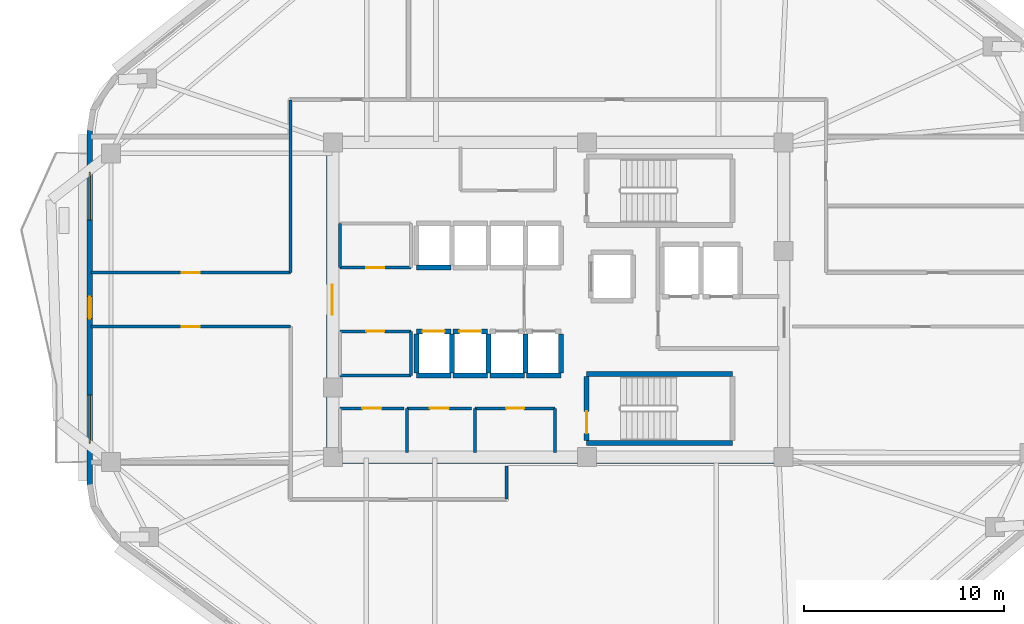
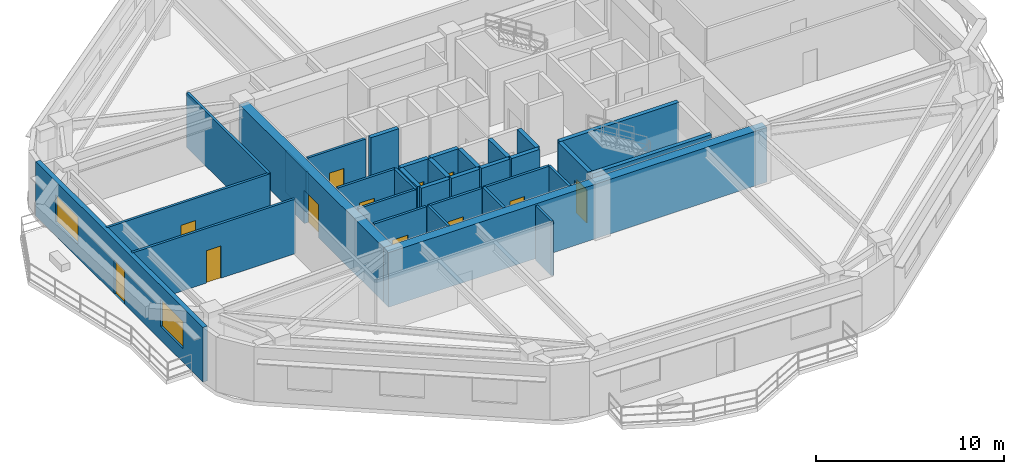
# One storey, part 6 of 12: 33 walls, 12 doors, 2 windows, 14 openings.
"""IFC4 building model written with IfcOpenShell, lengths in metres."""

import ifcopenshell
import ifcopenshell.guid

model = None  # the IFC model being written
_history = None  # IfcOwnerHistory: only IFC2X3 demands one
_inside = {}  # id of a spatial element -> (the spatial element, [elements in it])
_under = {}  # id of a project, library or spatial element -> (it, [spatial elements below it])
_declared = {}  # id of a project -> (the project, [libraries it declares])
_typed = {}  # id of a type object -> (the type object, [elements of that type])
_made_of = {}  # id of a material, layer set ... -> (it, [elements and type objects made of it])


def new_model(schema):
    """Start an empty IFC model of exactly this schema.

    Asked for "IFC4X3", IfcOpenShell would pick the latest addendum, in which some entities
    have other attributes; the version numbers below select the first issue.
    IFC2X3 requires an IfcOwnerHistory on every rooted entity: one is made here for all.
    """
    global model, _history
    if schema == "IFC4X3":
        model = ifcopenshell.file(schema_version=(4, 3, 0, 0))
    else:
        model = ifcopenshell.file(schema=schema)
    _inside.clear()
    _under.clear()
    _declared.clear()
    _typed.clear()
    _made_of.clear()
    _history = None
    if model.schema == "IFC2X3":
        org = make("IfcOrganization", Name="unknown")
        user = make(
            "IfcPersonAndOrganization",
            ThePerson=make("IfcPerson", FamilyName="unknown"),
            TheOrganization=org,
        )
        app = make(
            "IfcApplication",
            ApplicationDeveloper=org,
            Version="unknown",
            ApplicationFullName="unknown",
            ApplicationIdentifier="unknown",
        )
        _history = make(
            "IfcOwnerHistory",
            OwningUser=user,
            OwningApplication=app,
            ChangeAction="ADDED",
            CreationDate=0,
        )
    return model


def make(cls, **values):
    """One entity of the class cls with the attributes given. An attribute that is None is left unset."""
    return model.create_entity(
        cls, **{name: value for name, value in values.items() if value is not None}
    )


def rooted(cls, **values):
    """An entity with a GlobalId (a new one), such as an element, a storey or a relation."""
    return make(cls, GlobalId=ifcopenshell.guid.new(), OwnerHistory=_history, **values)


def si_unit(unit_type, name, prefix=None):
    """IfcSIUnit, for example si_unit("LENGTHUNIT", "METRE", prefix="MILLI")."""
    return make("IfcSIUnit", UnitType=unit_type, Prefix=prefix, Name=name)


def assignment(units):
    """IfcUnitAssignment: the units of a project."""
    return None if units is None else make("IfcUnitAssignment", Units=units)


def point(xyz):
    """IfcCartesianPoint."""
    return None if xyz is None else make("IfcCartesianPoint", Coordinates=xyz)


def direction(xyz):
    """IfcDirection."""
    return None if xyz is None else make("IfcDirection", DirectionRatios=xyz)


def frame(location, z_axis=None, x_axis=None):
    """IfcAxis2Placement3D, a coordinate frame: its origin and axes. An axis left out is left unset."""
    return make(
        "IfcAxis2Placement3D",
        Location=point(location),
        Axis=direction(z_axis),
        RefDirection=direction(x_axis),
    )


def frame_2d(location, x_axis=None):
    """IfcAxis2Placement2D, a coordinate frame in the plane: its origin and x axis."""
    return make(
        "IfcAxis2Placement2D", Location=point(location), RefDirection=direction(x_axis)
    )


def origin():
    """The frame at (0, 0, 0) with its axes left unset."""
    return frame((0.0, 0.0, 0.0))


def place(relative_to, where):
    """IfcLocalPlacement: puts the frame where relative to a parent placement (None: the world)."""
    return make(
        "IfcLocalPlacement", PlacementRelTo=relative_to, RelativePlacement=where
    )


def context(
    kind, dimensions, precision=None, world=None, true_north=None, identifier=None
):
    """IfcGeometricRepresentationContext, for example the 3D "Model" context."""
    return make(
        "IfcGeometricRepresentationContext",
        ContextIdentifier=identifier,
        ContextType=kind,
        CoordinateSpaceDimension=dimensions,
        Precision=precision,
        WorldCoordinateSystem=world,
        TrueNorth=true_north,
    )


def subcontext(parent, identifier, kind, view, scale=None):
    """IfcGeometricRepresentationSubContext, for example "Body" below "Model"."""
    return make(
        "IfcGeometricRepresentationSubContext",
        ContextIdentifier=identifier,
        ContextType=kind,
        ParentContext=parent,
        TargetScale=scale,
        TargetView=view,
    )


def project(units=None, contexts=None):
    """IfcProject with its units and contexts."""
    return rooted(
        "IfcProject",
        Name="project",
        RepresentationContexts=contexts,
        UnitsInContext=assignment(units),
    )


def spatial(cls, under=None, at=None, **own):
    """A site, building, storey or space (cls), placed at a placement, below another one or the project."""
    s = rooted(cls, ObjectPlacement=at, **own)
    if under is not None:
        _under.setdefault(under.id(), (under, []))[1].append(s)
    return s


def profile(cls, at=None, kind="AREA", **sizes):
    """A parametric profile (cls). Its sizes go by their IFC names, for example OverallWidth=200.0."""
    return make(cls, ProfileType=kind, Position=at, **sizes)


def rectangle(**sizes):
    """IfcRectangleProfileDef."""
    return profile("IfcRectangleProfileDef", **sizes)


def extrude(swept, where, along, depth):
    """IfcExtrudedAreaSolid: the profile swept, set in the frame where, extruded along a direction by depth."""
    return make(
        "IfcExtrudedAreaSolid",
        SweptArea=swept,
        Position=where,
        ExtrudedDirection=direction(along),
        Depth=depth,
    )


def shape(context_of_items, identifier, shape_type, items):
    """IfcShapeRepresentation: the items that make up one representation, for example the "Body"."""
    return make(
        "IfcShapeRepresentation",
        ContextOfItems=context_of_items,
        RepresentationIdentifier=identifier,
        RepresentationType=shape_type,
        Items=items,
    )


def material(Name=None, Category=None):
    """IfcMaterial."""
    return make("IfcMaterial", Name=Name, Category=Category)


def layer(
    of_material, thickness, ventilated=None, Name=None, Category=None, Priority=None
):
    """IfcMaterialLayer: one layer of a wall or slab, of a material (None: an air gap)."""
    return make(
        "IfcMaterialLayer",
        Material=of_material,
        LayerThickness=thickness,
        IsVentilated=ventilated,
        Name=Name,
        Category=Category,
        Priority=Priority,
    )


def layer_set(layers, Name=None):
    """IfcMaterialLayerSet."""
    return make("IfcMaterialLayerSet", MaterialLayers=layers, LayerSetName=Name)


def made_of(thing, what):
    """Note that an element or type object is made of a material, layer set ...; save() writes the relation."""
    if what is not None:
        _made_of.setdefault(what.id(), (what, []))[1].append(thing)
    return thing


def type_object(cls, material=None, **own):
    """A type object (cls), such as IfcWallType, which elements share."""
    return made_of(rooted(cls, **own), material)


def element(
    cls,
    number,
    at=None,
    inside=None,
    cuts=None,
    type_object=None,
    material=None,
    context=None,
    identifier="Body",
    shape_type=None,
    held_by="IfcProductDefinitionShape",
    body=None,
    shapes=None,
    **own,
):
    """One element of the class cls, such as IfcWall. Its Tag is "e" and its number.

    at: its placement. inside: the storey or other place that contains it. cuts: it is an
    opening in that element (IfcRelVoidsElement). A single representation is given by context,
    identifier, shape_type and body (its items); several are given by shapes. held_by: the class
    of the entity that holds the representations. save() writes the other relations.
    """
    e = rooted(cls, Tag="e%d" % number, ObjectPlacement=at, **own)
    if body is not None:
        shapes = [shape(context, identifier, shape_type, body)]
    if shapes is not None:
        e.Representation = make(held_by, Representations=shapes)
    if inside is not None:
        _inside.setdefault(inside.id(), (inside, []))[1].append(e)
    if cuts is not None:
        rooted(
            "IfcRelVoidsElement", RelatingBuildingElement=cuts, RelatedOpeningElement=e
        )
    if type_object is not None:
        _typed.setdefault(type_object.id(), (type_object, []))[1].append(e)
    return made_of(e, material)


def fill(opening, filler):
    """IfcRelFillsElement: the door or window that sits in an opening."""
    return rooted(
        "IfcRelFillsElement",
        RelatingOpeningElement=opening,
        RelatedBuildingElement=filler,
    )


def aggregate(whole, parts):
    """IfcRelAggregates: a whole, such as a stair, and the parts it consists of."""
    return rooted("IfcRelAggregates", RelatingObject=whole, RelatedObjects=parts)


def save(model, path):
    """Write the relations noted so far, then the file.

    IfcRelAggregates (storeys below a building ...), IfcRelContainedInSpatialStructure (elements
    in a storey), IfcRelDefinesByType, IfcRelAssociatesMaterial and IfcRelDeclares: one each for
    every whole, place, type object, material and project.
    """
    for whole, parts in _under.values():
        aggregate(whole, parts)
    for where, things in _inside.values():
        rooted(
            "IfcRelContainedInSpatialStructure",
            RelatedElements=things,
            RelatingStructure=where,
        )
    for kind, things in _typed.values():
        rooted("IfcRelDefinesByType", RelatedObjects=things, RelatingType=kind)
    for what, things in _made_of.values():
        rooted("IfcRelAssociatesMaterial", RelatedObjects=things, RelatingMaterial=what)
    for by, libraries in _declared.values():
        rooted("IfcRelDeclares", RelatingContext=by, RelatedDefinitions=libraries)
    model.write(path)


model = new_model("IFC4")

# Units and contexts
model_context = context("Model", 3, precision=1e-05, world=origin(), true_north=direction((0.0, 1.0)))
body_context = subcontext(model_context, "Body", "Model", "MODEL_VIEW")
ifc_project = project(units=[si_unit("LENGTHUNIT", "METRE"), si_unit("AREAUNIT", "SQUARE_METRE"), si_unit("VOLUMEUNIT", "CUBIC_METRE"), si_unit("PLANEANGLEUNIT", "RADIAN"), si_unit("MASSUNIT", "GRAM", prefix="KILO")], contexts=[model_context])

# Site, building, storey
site_placement = place(None, origin())
site = spatial("IfcSite", under=ifc_project, at=site_placement, CompositionType="ELEMENT")
building_placement = place(site_placement, origin())
building = spatial("IfcBuilding", under=site, at=building_placement, Name="Zulverin Broadcast Headquarters", CompositionType="ELEMENT")
storey_placement = place(building_placement, frame((0.0, 0.0, 170.60009765625)))
storey = spatial("IfcBuildingStorey", under=building, at=storey_placement, Name="L43", CompositionType="ELEMENT", Elevation=170.60009765625)

# Wall
ifc_material_1 = material(Name="Concrete C60/75", Category="concrete")
ifc_layer_1 = layer(ifc_material_1, 0.550048828125, Name="Concrete C60/75", Category="concrete")
ifc_layer_set_1 = layer_set([ifc_layer_1], Name="Concrete C60/75")
wall_type_1 = type_object("IfcWallType", Name="WL-CORE-550", PredefinedType="SHEAR", material=ifc_layer_set_1)
wall_1_placement = place(storey_placement, frame((25.39990234375, 17.27490234375, 0.0), z_axis=(0.0, 0.0, 1.0), x_axis=(1.0, 0.0, 0.0)))
element("IfcWall", 1, at=wall_1_placement, inside=storey, type_object=wall_type_1, Name="L43 Core South Shear Wall", PredefinedType="SHEAR", context=body_context, shape_type="SweptSolid", body=[
    extrude(rectangle(XDim=23.2001953125, YDim=0.550048828125, at=frame_2d((11.60009765625, 0.0))), origin(), (0.0, 0.0, 1.0), 3.539794921875),
])

# Wall, opening, door
wall_2_placement = place(storey_placement, frame((25.675048828125, 17.550048828125, 0.0), z_axis=(0.0, 0.0, 1.0), x_axis=(0.0, 1.0, 0.0)))
wall_2 = element("IfcWall", 2, at=wall_2_placement, inside=storey, type_object=wall_type_1, Name="L43 Core West Shear Wall", PredefinedType="SHEAR", context=body_context, shape_type="SweptSolid", body=[
    extrude(rectangle(XDim=15.300048828125, YDim=0.550048828125, at=frame_2d((7.64990234375, 0.0))), origin(), (0.0, 0.0, 1.0), 3.539794921875),
])
opening_1_placement = place(wall_2_placement, frame((6.89990234375, 0.0, 0.0)))
opening_1 = element("IfcOpeningElement", 3, at=opening_1_placement, cuts=wall_2, Name="Opening D-L43-CW1", PredefinedType="OPENING", context=body_context, shape_type="SweptSolid", body=[
    extrude(rectangle(XDim=1.5, YDim=2.14990234375, at=frame_2d((0.75, 1.074951171875))), frame((0.0, 0.284912109375, 0.0), z_axis=(0.0, -1.0, 0.0), x_axis=(1.0, 0.0, 0.0)), (0.0, 0.0, 1.0), 0.570068359375),
])
ifc_material_2 = material(Name="Fire-rated glazed steel frame", Category="steel")
door_type_1 = type_object("IfcDoorType", Name="DR-COR-1500", OperationType="DOUBLE_DOOR_SINGLE_SWING", PredefinedType="DOOR", material=ifc_material_2)
door_1_placement = place(opening_1_placement, origin())
door_1 = element("IfcDoor", 4, at=door_1_placement, inside=storey, type_object=door_type_1, Name="L43 Central Lift Lobby West Portal Door", OperationType="DOUBLE_DOOR_SINGLE_SWING", OverallHeight=2.14990234375, OverallWidth=1.5, PredefinedType="DOOR", context=body_context, shape_type="SweptSolid", body=[
    extrude(rectangle(XDim=1.5, YDim=2.14990234375, at=frame_2d((0.75, 1.074951171875))), frame((0.0, 0.02490234375, 0.0), z_axis=(0.0, -1.0, 0.0), x_axis=(1.0, 0.0, 0.0)), (0.0, 0.0, 1.0), 0.050048828125),
])
fill(opening_1, door_1)

# Wall, openings, door, windows
ifc_material_3 = material(Name="Insulated pale-metal clad concrete spandrel C40/50", Category="concrete")
ifc_layer_2 = layer(ifc_material_3, 0.280029296875, Name="Insulated pale-metal clad concrete spandrel C40/50", Category="concrete")
ifc_layer_set_2 = layer_set([ifc_layer_2], Name="Insulated pale-metal clad concrete spandrel C40/50")
wall_type_2 = type_object("IfcWallType", Name="WL-EXT-280", PredefinedType="STANDARD", material=ifc_layer_set_2)
wall_3_placement = place(storey_placement, frame((13.5400390625, 33.673095703125, 0.0), z_axis=(0.0, 0.0, 1.0), x_axis=(0.0, -1.0, 0.0)))
wall_3 = element("IfcWall", 5, at=wall_3_placement, inside=storey, type_object=wall_type_2, Name="L43 Pale-Metal Clad Spandrel Wall 7", PredefinedType="STANDARD", context=body_context, shape_type="SweptSolid", body=[
    extrude(rectangle(XDim=17.751220703125, YDim=0.280029296875, at=frame_2d((8.87548828125, 0.0))), origin(), (0.0, 0.0, 1.0), 3.539794921875),
])
opening_2_placement = place(wall_3_placement, frame((8.32568359375, 0.0, 0.0)))
opening_2 = element("IfcOpeningElement", 6, at=opening_2_placement, cuts=wall_3, Name="Opening D-L43-TR7", PredefinedType="OPENING", context=body_context, shape_type="SweptSolid", body=[
    extrude(rectangle(XDim=1.10009765625, YDim=2.199951171875, at=frame_2d((0.550048828125, 1.10009765625))), frame((0.0, 0.14990234375, 0.0), z_axis=(0.0, -1.0, 0.0), x_axis=(1.0, 0.0, 0.0)), (0.0, 0.0, 1.0), 0.300048828125),
])
opening_3_placement = place(wall_3_placement, frame((2.091796875, 0.0, 0.89990234375)))
opening_3 = element("IfcOpeningElement", 7, at=opening_3_placement, cuts=wall_3, Name="Opening W-L43-E71", PredefinedType="OPENING", context=body_context, shape_type="SweptSolid", body=[
    extrude(rectangle(XDim=2.39990234375, YDim=1.75, at=frame_2d((1.199951171875, 0.875))), frame((0.0, 0.14990234375, 0.0), z_axis=(0.0, -1.0, 0.0), x_axis=(1.0, 0.0, 0.0)), (0.0, 0.0, 1.0), 0.300048828125),
])
opening_4_placement = place(wall_3_placement, frame((13.259521484375, 0.0, 0.89990234375)))
opening_4 = element("IfcOpeningElement", 8, at=opening_4_placement, cuts=wall_3, Name="Opening W-L43-E72", PredefinedType="OPENING", context=body_context, shape_type="SweptSolid", body=[
    extrude(rectangle(XDim=2.39990234375, YDim=1.75, at=frame_2d((1.199951171875, 0.875))), frame((0.0, 0.14990234375, 0.0), z_axis=(0.0, -1.0, 0.0), x_axis=(1.0, 0.0, 0.0)), (0.0, 0.0, 1.0), 0.300048828125),
])
ifc_material_4 = material(Name="Thermally broken aluminium glazed", Category="aluminium")
door_type_2 = type_object("IfcDoorType", Name="DR-TERR-1100", OperationType="SINGLE_SWING_RIGHT", PredefinedType="DOOR", material=ifc_material_4)
door_2_placement = place(opening_2_placement, origin())
door_2 = element("IfcDoor", 9, at=door_2_placement, inside=storey, type_object=door_type_2, Name="L43 Planted Terrace Glazed Access Door 7", OperationType="SINGLE_SWING_RIGHT", OverallHeight=2.199951171875, OverallWidth=1.10009765625, PredefinedType="DOOR", context=body_context, shape_type="SweptSolid", body=[
    extrude(rectangle(XDim=1.10009765625, YDim=2.199951171875, at=frame_2d((0.550048828125, 1.10009765625))), frame((0.0, 0.02490234375, 0.0), z_axis=(0.0, -1.0, 0.0), x_axis=(1.0, 0.0, 0.0)), (0.0, 0.0, 1.0), 0.050048828125),
])
fill(opening_2, door_2)
ifc_material_5 = material(Name="Pale anodized aluminium frame with solar-control low-E double glazing", Category="aluminium")
window_type = type_object("IfcWindowType", Name="WIN-RIB-2400", PartitioningType="SINGLE_PANEL", PredefinedType="WINDOW", material=ifc_material_5)
window_1_placement = place(opening_3_placement, origin())
window_1 = element("IfcWindow", 10, at=window_1_placement, inside=storey, type_object=window_type, Name="L43 Ribbon Glazing Window 7 1", OverallHeight=1.75, OverallWidth=2.39990234375, PartitioningType="SINGLE_PANEL", PredefinedType="WINDOW", context=body_context, shape_type="SweptSolid", body=[
    extrude(rectangle(XDim=2.39990234375, YDim=1.75, at=frame_2d((1.199951171875, 0.875))), frame((0.0, 0.030029296875, 0.0), z_axis=(0.0, -1.0, 0.0), x_axis=(1.0, 0.0, 0.0)), (0.0, 0.0, 1.0), 0.06005859375),
])
fill(opening_3, window_1)
window_2_placement = place(opening_4_placement, origin())
window_2 = element("IfcWindow", 11, at=window_2_placement, inside=storey, type_object=window_type, Name="L43 Ribbon Glazing Window 7 2", OverallHeight=1.75, OverallWidth=2.39990234375, PartitioningType="SINGLE_PANEL", PredefinedType="WINDOW", context=body_context, shape_type="SweptSolid", body=[
    extrude(rectangle(XDim=2.39990234375, YDim=1.75, at=frame_2d((1.199951171875, 0.875))), frame((0.0, 0.030029296875, 0.0), z_axis=(0.0, -1.0, 0.0), x_axis=(1.0, 0.0, 0.0)), (0.0, 0.0, 1.0), 0.06005859375),
])
fill(opening_4, window_2)

# Wall, opening, door
ifc_material_6 = material(Name="Fire-rated gypsum stud partition", Category="gypsum")
ifc_layer_3 = layer(ifc_material_6, 0.14990234375, Name="Fire-rated gypsum stud partition", Category="gypsum")
ifc_layer_set_3 = layer_set([ifc_layer_3], Name="Fire-rated gypsum stud partition")
wall_type_3 = type_object("IfcWallType", Name="WL-PART-150", PredefinedType="PARTITIONING", material=ifc_layer_set_3)
wall_4_placement = place(storey_placement, frame((26.070068359375, 19.75, 0.0), z_axis=(0.0, 0.0, 1.0), x_axis=(1.0, 0.0, 0.0)))
wall_4 = element("IfcWall", 12, at=wall_4_placement, inside=storey, type_object=wall_type_3, Name="L43 Core Male WC Front Wall", PredefinedType="PARTITIONING", context=body_context, shape_type="SweptSolid", body=[
    extrude(rectangle(XDim=3.199951171875, YDim=0.14990234375, at=frame_2d((1.60009765625, 0.0))), origin(), (0.0, 0.0, 1.0), 3.539794921875),
])
opening_5_placement = place(wall_4_placement, frame((1.125, 0.0, 0.0)))
opening_5 = element("IfcOpeningElement", 13, at=opening_5_placement, cuts=wall_4, Name="Opening D-L43-SC1", PredefinedType="OPENING", context=body_context, shape_type="SweptSolid", body=[
    extrude(rectangle(XDim=0.949951171875, YDim=2.10009765625, at=frame_2d((0.47509765625, 1.050048828125))), frame((0.0, 0.0849609375, 0.0), z_axis=(0.0, -1.0, 0.0), x_axis=(1.0, 0.0, 0.0)), (0.0, 0.0, 1.0), 0.169921875),
])
ifc_material_7 = material(Name="Fire-rated moisture-resistant laminate leaf", Category="wood")
door_type_3 = type_object("IfcDoorType", Name="DR-WC-950", OperationType="SINGLE_SWING_LEFT", PredefinedType="DOOR", material=ifc_material_7)
door_3_placement = place(opening_5_placement, origin())
door_3 = element("IfcDoor", 14, at=door_3_placement, inside=storey, type_object=door_type_3, Name="L43 Male WC Door", OperationType="SINGLE_SWING_RIGHT", OverallHeight=2.10009765625, OverallWidth=0.949951171875, PredefinedType="DOOR", context=body_context, shape_type="SweptSolid", body=[
    extrude(rectangle(XDim=0.949951171875, YDim=2.10009765625, at=frame_2d((0.47509765625, 1.050048828125))), frame((0.0, 0.02490234375, 0.0), z_axis=(0.0, -1.0, 0.0), x_axis=(1.0, 0.0, 0.0)), (0.0, 0.0, 1.0), 0.050048828125),
])
fill(opening_5, door_3)

wall_5_placement = place(storey_placement, frame((29.429931640625, 19.75, 0.0), z_axis=(0.0, 0.0, 1.0), x_axis=(1.0, 0.0, 0.0)))
wall_5 = element("IfcWall", 15, at=wall_5_placement, inside=storey, type_object=wall_type_3, Name="L43 Core Female WC Front Wall", PredefinedType="PARTITIONING", context=body_context, shape_type="SweptSolid", body=[
    extrude(rectangle(XDim=3.239990234375, YDim=0.14990234375, at=frame_2d((1.6201171875, 0.0))), origin(), (0.0, 0.0, 1.0), 3.539794921875),
])
opening_6_placement = place(wall_5_placement, frame((1.14501953125, 0.0, 0.0)))
opening_6 = element("IfcOpeningElement", 16, at=opening_6_placement, cuts=wall_5, Name="Opening D-L43-SC2", PredefinedType="OPENING", context=body_context, shape_type="SweptSolid", body=[
    extrude(rectangle(XDim=0.949951171875, YDim=2.10009765625, at=frame_2d((0.47509765625, 1.050048828125))), frame((0.0, 0.0849609375, 0.0), z_axis=(0.0, -1.0, 0.0), x_axis=(1.0, 0.0, 0.0)), (0.0, 0.0, 1.0), 0.169921875),
])
door_4_placement = place(opening_6_placement, origin())
door_4 = element("IfcDoor", 17, at=door_4_placement, inside=storey, type_object=door_type_3, Name="L43 Female WC Door", OperationType="SINGLE_SWING_LEFT", OverallHeight=2.10009765625, OverallWidth=0.949951171875, PredefinedType="DOOR", context=body_context, shape_type="SweptSolid", body=[
    extrude(rectangle(XDim=0.949951171875, YDim=2.10009765625, at=frame_2d((0.47509765625, 1.050048828125))), frame((0.0, 0.02490234375, 0.0), z_axis=(0.0, -1.0, 0.0), x_axis=(1.0, 0.0, 0.0)), (0.0, 0.0, 1.0), 0.050048828125),
])
fill(opening_6, door_4)

# Wall
wall_6_placement = place(storey_placement, frame((29.429931640625, 17.550048828125, 0.0), z_axis=(0.0, 0.0, 1.0), x_axis=(0.0, 1.0, 0.0)))
element("IfcWall", 18, at=wall_6_placement, inside=storey, type_object=wall_type_3, Name="L43 Core Female WC West Wall", PredefinedType="PARTITIONING", context=body_context, shape_type="SweptSolid", body=[
    extrude(rectangle(XDim=2.199951171875, YDim=0.14990234375, at=frame_2d((1.10009765625, 0.0))), origin(), (0.0, 0.0, 1.0), 3.539794921875),
])

# Wall, opening, door
wall_7_placement = place(storey_placement, frame((32.830078125, 19.75, 0.0), z_axis=(0.0, 0.0, 1.0), x_axis=(1.0, 0.0, 0.0)))
wall_7 = element("IfcWall", 19, at=wall_7_placement, inside=storey, type_object=wall_type_3, Name="L43 Core Cleaner Store Front Wall", PredefinedType="PARTITIONING", context=body_context, shape_type="SweptSolid", body=[
    extrude(rectangle(XDim=4.02001953125, YDim=0.14990234375, at=frame_2d((2.010009765625, 0.0))), origin(), (0.0, 0.0, 1.0), 3.539794921875),
])
opening_7_placement = place(wall_7_placement, frame((1.56005859375, 0.0, 0.0)))
opening_7 = element("IfcOpeningElement", 20, at=opening_7_placement, cuts=wall_7, Name="Opening D-L43-SC3", PredefinedType="OPENING", context=body_context, shape_type="SweptSolid", body=[
    extrude(rectangle(XDim=0.89990234375, YDim=2.10009765625, at=frame_2d((0.449951171875, 1.050048828125))), frame((0.0, 0.0849609375, 0.0), z_axis=(0.0, -1.0, 0.0), x_axis=(1.0, 0.0, 0.0)), (0.0, 0.0, 1.0), 0.169921875),
])
ifc_material_8 = material(Name="Powder-coated steel access leaf", Category="steel")
door_type_4 = type_object("IfcDoorType", Name="DR-RISER-900", OperationType="SINGLE_SWING_LEFT", PredefinedType="DOOR", material=ifc_material_8)
door_5_placement = place(opening_7_placement, origin())
door_5 = element("IfcDoor", 21, at=door_5_placement, inside=storey, type_object=door_type_4, Name="L43 Cleaner Store Door", OperationType="SINGLE_SWING_RIGHT", OverallHeight=2.10009765625, OverallWidth=0.89990234375, PredefinedType="DOOR", context=body_context, shape_type="SweptSolid", body=[
    extrude(rectangle(XDim=0.89990234375, YDim=2.10009765625, at=frame_2d((0.449951171875, 1.050048828125))), frame((0.0, 0.02490234375, 0.0), z_axis=(0.0, -1.0, 0.0), x_axis=(1.0, 0.0, 0.0)), (0.0, 0.0, 1.0), 0.050048828125),
])
fill(opening_7, door_5)

# Walls
for number, where, z_axis, x_axis, name in (
    (22, (32.830078125, 17.550048828125, 0.0), (0.0, 0.0, 1.0), (0.0, 1.0, 0.0), "L43 Core Cleaner Store West Wall"),
    (23, (36.85009765625, 17.550048828125, 0.0), (0.0, 0.0, 1.0), (0.0, 1.0, 0.0), "L43 Core Cleaner Store East Wall"),
):
    element("IfcWall", number, at=place(storey_placement, frame(where, z_axis=z_axis, x_axis=x_axis)), inside=storey, type_object=wall_type_3, Name=name, PredefinedType="PARTITIONING", context=body_context, shape_type="SweptSolid", body=[
        extrude(rectangle(XDim=2.199951171875, YDim=0.14990234375, at=frame_2d((1.10009765625, 0.0))), origin(), (0.0, 0.0, 1.0), 3.539794921875),
    ])

# Wall, opening, door
wall_8_placement = place(storey_placement, frame((26.070068359375, 26.800048828125, 0.0), z_axis=(0.0, 0.0, 1.0), x_axis=(1.0, 0.0, 0.0)))
wall_8 = element("IfcWall", 24, at=wall_8_placement, inside=storey, type_object=wall_type_3, Name="L43 Broadcast Signal Patch Room S Wall", PredefinedType="PARTITIONING", context=body_context, shape_type="SweptSolid", body=[
    extrude(rectangle(XDim=3.550048828125, YDim=0.14990234375, at=frame_2d((1.77490234375, 0.0))), origin(), (0.0, 0.0, 1.0), 3.539794921875),
])
opening_8_placement = place(wall_8_placement, frame((1.324951171875, 0.0, 0.0)))
opening_8 = element("IfcOpeningElement", 25, at=opening_8_placement, cuts=wall_8, Name="Opening D-L43-RCLN", PredefinedType="OPENING", context=body_context, shape_type="SweptSolid", body=[
    extrude(rectangle(XDim=0.89990234375, YDim=2.10009765625, at=frame_2d((0.449951171875, 1.050048828125))), frame((0.0, 0.0849609375, 0.0), z_axis=(0.0, -1.0, 0.0), x_axis=(1.0, 0.0, 0.0)), (0.0, 0.0, 1.0), 0.169921875),
])
door_6_placement = place(opening_8_placement, origin())
door_6 = element("IfcDoor", 26, at=door_6_placement, inside=storey, type_object=door_type_4, Name="L43 Broadcast Signal Patch Room Door", OperationType="SINGLE_SWING_LEFT", OverallHeight=2.10009765625, OverallWidth=0.89990234375, PredefinedType="DOOR", context=body_context, shape_type="SweptSolid", body=[
    extrude(rectangle(XDim=0.89990234375, YDim=2.10009765625, at=frame_2d((0.449951171875, 1.050048828125))), frame((0.0, 0.02490234375, 0.0), z_axis=(0.0, -1.0, 0.0), x_axis=(1.0, 0.0, 0.0)), (0.0, 0.0, 1.0), 0.050048828125),
])
fill(opening_8, door_6)

# Walls
wall_9_placement = place(storey_placement, frame((26.070068359375, 26.800048828125, 0.0), z_axis=(0.0, 0.0, 1.0), x_axis=(0.0, 1.0, 0.0)))
element("IfcWall", 27, at=wall_9_placement, inside=storey, type_object=wall_type_3, Name="L43 Broadcast Signal Patch Room W Wall", PredefinedType="PARTITIONING", context=body_context, shape_type="SweptSolid", body=[
    extrude(rectangle(XDim=2.199951171875, YDim=0.14990234375, at=frame_2d((1.10009765625, 0.0))), origin(), (0.0, 0.0, 1.0), 2.639892578125),
])
wall_10_placement = place(storey_placement, frame((26.070068359375, 21.39990234375, 0.0), z_axis=(0.0, 0.0, 1.0), x_axis=(1.0, 0.0, 0.0)))
element("IfcWall", 28, at=wall_10_placement, inside=storey, type_object=wall_type_3, Name="L43 Housekeeping Equipment Store S Wall", PredefinedType="PARTITIONING", context=body_context, shape_type="SweptSolid", body=[
    extrude(rectangle(XDim=3.550048828125, YDim=0.14990234375, at=frame_2d((1.77490234375, 0.0))), origin(), (0.0, 0.0, 1.0), 3.539794921875),
])

# Wall, opening, door
wall_11_placement = place(storey_placement, frame((26.070068359375, 23.60009765625, 0.0), z_axis=(0.0, 0.0, 1.0), x_axis=(1.0, 0.0, 0.0)))
wall_11 = element("IfcWall", 29, at=wall_11_placement, inside=storey, type_object=wall_type_3, Name="L43 Housekeeping Equipment Store N Wall", PredefinedType="PARTITIONING", context=body_context, shape_type="SweptSolid", body=[
    extrude(rectangle(XDim=3.550048828125, YDim=0.14990234375, at=frame_2d((1.77490234375, 0.0))), origin(), (0.0, 0.0, 1.0), 3.539794921875),
])
opening_9_placement = place(wall_11_placement, frame((1.324951171875, 0.0, 0.0)))
opening_9 = element("IfcOpeningElement", 30, at=opening_9_placement, cuts=wall_11, Name="Opening D-L43-RCLS", PredefinedType="OPENING", context=body_context, shape_type="SweptSolid", body=[
    extrude(rectangle(XDim=0.89990234375, YDim=2.10009765625, at=frame_2d((0.449951171875, 1.050048828125))), frame((0.0, 0.0849609375, 0.0), z_axis=(0.0, -1.0, 0.0), x_axis=(1.0, 0.0, 0.0)), (0.0, 0.0, 1.0), 0.169921875),
])
door_7_placement = place(opening_9_placement, origin())
door_7 = element("IfcDoor", 31, at=door_7_placement, inside=storey, type_object=door_type_4, Name="L43 Housekeeping Equipment Store Door", OperationType="SINGLE_SWING_RIGHT", OverallHeight=2.10009765625, OverallWidth=0.89990234375, PredefinedType="DOOR", context=body_context, shape_type="SweptSolid", body=[
    extrude(rectangle(XDim=0.89990234375, YDim=2.10009765625, at=frame_2d((0.449951171875, 1.050048828125))), frame((0.0, 0.02490234375, 0.0), z_axis=(0.0, -1.0, 0.0), x_axis=(1.0, 0.0, 0.0)), (0.0, 0.0, 1.0), 0.050048828125),
])
fill(opening_9, door_7)

# Walls
wall_12_placement = place(storey_placement, frame((29.6201171875, 21.39990234375, 0.0), z_axis=(0.0, 0.0, 1.0), x_axis=(0.0, 1.0, 0.0)))
element("IfcWall", 32, at=wall_12_placement, inside=storey, type_object=wall_type_3, Name="L43 Housekeeping Equipment Store E Wall", PredefinedType="PARTITIONING", context=body_context, shape_type="SweptSolid", body=[
    extrude(rectangle(XDim=2.2001953125, YDim=0.14990234375, at=frame_2d((1.10009765625, 0.0))), origin(), (0.0, 0.0, 1.0), 3.539794921875),
])
wall_13_placement = place(storey_placement, frame((34.39990234375, 15.199951171875, 0.0), z_axis=(0.0, 0.0, 1.0), x_axis=(0.0, 1.0, 0.0)))
element("IfcWall", 33, at=wall_13_placement, inside=storey, type_object=wall_type_3, Name="L43 Gallery Partition Wall CG-02", PredefinedType="PARTITIONING", context=body_context, shape_type="SweptSolid", body=[
    extrude(rectangle(XDim=1.66015625, YDim=0.14990234375, at=frame_2d((0.830078125, 0.0))), origin(), (0.0, 0.0, 1.0), 3.539794921875),
])
wall_14_placement = place(storey_placement, frame((23.60009765625, 26.550048828125, 0.0), z_axis=(0.0, 0.0, 1.0), x_axis=(0.0, 1.0, 0.0)))
element("IfcWall", 34, at=wall_14_placement, inside=storey, type_object=wall_type_3, Name="L43 Gallery Partition Wall CG-05", PredefinedType="PARTITIONING", context=body_context, shape_type="SweptSolid", body=[
    extrude(rectangle(XDim=8.64990234375, YDim=0.14990234375, at=frame_2d((4.324951171875, 0.0))), origin(), (0.0, 0.0, 1.0), 3.539794921875),
])

# Wall, opening, door
wall_15_placement = place(storey_placement, frame((13.60498046875, 23.85009765625, 0.0), z_axis=(0.0, 0.0, 1.0), x_axis=(1.0, 0.0, 0.0)))
wall_15 = element("IfcWall", 35, at=wall_15_placement, inside=storey, type_object=wall_type_3, Name="L43 Gallery Partition Wall CG-09", PredefinedType="PARTITIONING", context=body_context, shape_type="SweptSolid", body=[
    extrude(rectangle(XDim=9.9951171875, YDim=0.14990234375, at=frame_2d((4.99755859375, 0.0))), origin(), (0.0, 0.0, 1.0), 3.539794921875),
])
opening_10_placement = place(wall_15_placement, frame((4.547607421875, 0.0, 0.0)))
opening_10 = element("IfcOpeningElement", 36, at=opening_10_placement, cuts=wall_15, Name="Opening D-L43-04", PredefinedType="OPENING", context=body_context, shape_type="SweptSolid", body=[
    extrude(rectangle(XDim=0.89990234375, YDim=2.10009765625, at=frame_2d((0.449951171875, 1.050048828125))), frame((0.0, 0.0849609375, 0.0), z_axis=(0.0, -1.0, 0.0), x_axis=(1.0, 0.0, 0.0)), (0.0, 0.0, 1.0), 0.169921875),
])
ifc_material_9 = material(Name="Fire-rated hardwood veneer timber leaf", Category="wood")
door_type_5 = type_object("IfcDoorType", Name="DR-ROOM-900", OperationType="SINGLE_SWING_RIGHT", PredefinedType="DOOR", material=ifc_material_9)
door_8_placement = place(opening_10_placement, origin())
door_8 = element("IfcDoor", 37, at=door_8_placement, inside=storey, type_object=door_type_5, Name="L43 Sky Cafe & Bar Door", OperationType="SINGLE_SWING_LEFT", OverallHeight=2.10009765625, OverallWidth=0.89990234375, PredefinedType="DOOR", context=body_context, shape_type="SweptSolid", body=[
    extrude(rectangle(XDim=0.89990234375, YDim=2.10009765625, at=frame_2d((0.449951171875, 1.050048828125))), frame((0.0, 0.02490234375, 0.0), z_axis=(0.0, -1.0, 0.0), x_axis=(1.0, 0.0, 0.0)), (0.0, 0.0, 1.0), 0.050048828125),
])
fill(opening_10, door_8)

wall_16_placement = place(storey_placement, frame((13.60498046875, 26.550048828125, 0.0), z_axis=(0.0, 0.0, 1.0), x_axis=(1.0, 0.0, 0.0)))
wall_16 = element("IfcWall", 38, at=wall_16_placement, inside=storey, type_object=wall_type_3, Name="L43 Gallery Partition Wall CG-11", PredefinedType="PARTITIONING", context=body_context, shape_type="SweptSolid", body=[
    extrude(rectangle(XDim=9.9951171875, YDim=0.14990234375, at=frame_2d((4.99755859375, 0.0))), origin(), (0.0, 0.0, 1.0), 3.539794921875),
])
opening_11_placement = place(wall_16_placement, frame((4.547607421875, 0.0, 0.0)))
opening_11 = element("IfcOpeningElement", 39, at=opening_11_placement, cuts=wall_16, Name="Opening D-L43-05", PredefinedType="OPENING", context=body_context, shape_type="SweptSolid", body=[
    extrude(rectangle(XDim=0.89990234375, YDim=2.10009765625, at=frame_2d((0.449951171875, 1.050048828125))), frame((0.0, 0.0849609375, 0.0), z_axis=(0.0, -1.0, 0.0), x_axis=(1.0, 0.0, 0.0)), (0.0, 0.0, 1.0), 0.169921875),
])
door_9_placement = place(opening_11_placement, origin())
door_9 = element("IfcDoor", 40, at=door_9_placement, inside=storey, type_object=door_type_5, Name="L43 Sky Lobby Reception Door", OperationType="SINGLE_SWING_RIGHT", OverallHeight=2.10009765625, OverallWidth=0.89990234375, PredefinedType="DOOR", context=body_context, shape_type="SweptSolid", body=[
    extrude(rectangle(XDim=0.89990234375, YDim=2.10009765625, at=frame_2d((0.449951171875, 1.050048828125))), frame((0.0, 0.02490234375, 0.0), z_axis=(0.0, -1.0, 0.0), x_axis=(1.0, 0.0, 0.0)), (0.0, 0.0, 1.0), 0.050048828125),
])
fill(opening_11, door_9)

# Walls
ifc_material_10 = material(Name="Concrete C50/60", Category="concrete")
ifc_layer_4 = layer(ifc_material_10, 0.25, Name="Concrete C50/60", Category="concrete")
ifc_layer_set_4 = layer_set([ifc_layer_4], Name="Concrete C50/60")
wall_type_4 = type_object("IfcWallType", Name="WL-SHAFT-250", PredefinedType="SHEAR", material=ifc_layer_set_4)
for number, where, z_axis, x_axis, name in (
    (41, (38.425048828125, 18.02490234375, 0.0), (0.0, 0.0, 1.0), (1.0, 0.0, 0.0), "L43 ST-2 Enclosure Wall S"),
    (42, (38.425048828125, 21.47509765625, 0.0), (0.0, 0.0, 1.0), (1.0, 0.0, 0.0), "L43 ST-2 Enclosure Wall N"),
):
    element("IfcWall", number, at=place(storey_placement, frame(where, z_axis=z_axis, x_axis=x_axis)), inside=storey, type_object=wall_type_4, Name=name, PredefinedType="SHEAR", context=body_context, shape_type="SweptSolid", body=[
        extrude(rectangle(XDim=7.300048828125, YDim=0.25, at=frame_2d((3.64990234375, 0.0))), origin(), (0.0, 0.0, 1.0), 3.539794921875),
    ])

# Wall, opening, door
wall_17_placement = place(storey_placement, frame((38.425048828125, 18.14990234375, 0.0), z_axis=(0.0, 0.0, 1.0), x_axis=(0.0, 1.0, 0.0)))
wall_17 = element("IfcWall", 43, at=wall_17_placement, inside=storey, type_object=wall_type_4, Name="L43 ST-2 Enclosure Wall W", PredefinedType="SHEAR", context=body_context, shape_type="SweptSolid", body=[
    extrude(rectangle(XDim=3.2001953125, YDim=0.25, at=frame_2d((1.60009765625, 0.0))), origin(), (0.0, 0.0, 1.0), 3.539794921875),
])
opening_12_placement = place(wall_17_placement, frame((0.35009765625, 0.0, 0.0)))
opening_12 = element("IfcOpeningElement", 44, at=opening_12_placement, cuts=wall_17, Name="Opening D-L43-ST-2", PredefinedType="OPENING", context=body_context, shape_type="SweptSolid", body=[
    extrude(rectangle(XDim=1.10009765625, YDim=2.14990234375, at=frame_2d((0.550048828125, 1.074951171875))), frame((0.0, 0.135009765625, 0.0), z_axis=(0.0, -1.0, 0.0), x_axis=(1.0, 0.0, 0.0)), (0.0, 0.0, 1.0), 0.27001953125),
])
ifc_material_11 = material(Name="Fire-rated steel leaf and frame", Category="steel")
door_type_6 = type_object("IfcDoorType", Name="DR-STAIR-1100", OperationType="SINGLE_SWING_LEFT", PredefinedType="DOOR", material=ifc_material_11)
door_10_placement = place(opening_12_placement, origin())
door_10 = element("IfcDoor", 45, at=door_10_placement, inside=storey, type_object=door_type_6, Name="L43 Exit Stair ST-2 Fire Door", OperationType="SINGLE_SWING_RIGHT", OverallHeight=2.14990234375, OverallWidth=1.10009765625, PredefinedType="DOOR", context=body_context, shape_type="SweptSolid", body=[
    extrude(rectangle(XDim=1.10009765625, YDim=2.14990234375, at=frame_2d((0.550048828125, 1.074951171875))), frame((0.0, 0.02490234375, 0.0), z_axis=(0.0, -1.0, 0.0), x_axis=(1.0, 0.0, 0.0)), (0.0, 0.0, 1.0), 0.050048828125),
])
fill(opening_12, door_10)

# Wall
wall_18_placement = place(storey_placement, frame((29.89990234375, 21.39990234375, 0.0), z_axis=(0.0, 0.0, 1.0), x_axis=(1.0, 0.0, 0.0)))
element("IfcWall", 46, at=wall_18_placement, inside=storey, type_object=wall_type_4, Name="L43 Lift PL-M1 Shaft Wall S", PredefinedType="SHEAR", context=body_context, shape_type="SweptSolid", body=[
    extrude(rectangle(XDim=1.72021484375, YDim=0.25, at=frame_2d((0.860107421875, 0.0))), origin(), (0.0, 0.0, 1.0), 3.539794921875),
])

# Wall, opening, door
wall_19_placement = place(storey_placement, frame((29.89990234375, 23.60009765625, 0.0), z_axis=(0.0, 0.0, 1.0), x_axis=(1.0, 0.0, 0.0)))
wall_19 = element("IfcWall", 47, at=wall_19_placement, inside=storey, type_object=wall_type_4, Name="L43 Lift PL-M1 Shaft Wall N", PredefinedType="SHEAR", context=body_context, shape_type="SweptSolid", body=[
    extrude(rectangle(XDim=1.72021484375, YDim=0.25, at=frame_2d((0.860107421875, 0.0))), origin(), (0.0, 0.0, 1.0), 3.539794921875),
])
opening_13_placement = place(wall_19_placement, frame((0.31005859375, 0.0, 0.0)))
opening_13 = element("IfcOpeningElement", 48, at=opening_13_placement, cuts=wall_19, Name="Opening LD-PL-M1-L43", PredefinedType="OPENING", context=body_context, shape_type="SweptSolid", body=[
    extrude(rectangle(XDim=1.10009765625, YDim=2.14990234375, at=frame_2d((0.550048828125, 1.074951171875))), frame((0.0, 0.135009765625, 0.0), z_axis=(0.0, -1.0, 0.0), x_axis=(1.0, 0.0, 0.0)), (0.0, 0.0, 1.0), 0.27001953125),
])
ifc_material_12 = material(Name="Brushed stainless steel landing", Category="steel")
door_type_7 = type_object("IfcDoorType", Name="LD-PASS-1100", OperationType="DOUBLE_DOOR_SLIDING", PredefinedType="DOOR", material=ifc_material_12)
door_11_placement = place(opening_13_placement, origin())
door_11 = element("IfcDoor", 49, at=door_11_placement, inside=storey, type_object=door_type_7, Name="L43 Lift PL-M1 Sliding Landing Door", OperationType="DOUBLE_DOOR_SLIDING", OverallHeight=2.14990234375, OverallWidth=1.10009765625, PredefinedType="DOOR", context=body_context, shape_type="SweptSolid", body=[
    extrude(rectangle(XDim=1.10009765625, YDim=2.14990234375, at=frame_2d((0.550048828125, 1.074951171875))), frame((0.0, 0.02490234375, 0.0), z_axis=(0.0, -1.0, 0.0), x_axis=(1.0, 0.0, 0.0)), (0.0, 0.0, 1.0), 0.050048828125),
])
fill(opening_13, door_11)

# Walls
for number, where, z_axis, x_axis, name in (
    (50, (29.89990234375, 21.52001953125, 0.0), (0.0, 0.0, 1.0), (0.0, 1.0, 0.0), "L43 Lift PL-M1 Shaft Wall W"),
    (51, (31.679931640625, 21.52001953125, 0.0), (0.0, 0.0, 1.0), (0.0, 1.0, 0.0), "L43 Lift PL-M1 Shaft Wall E"),
):
    element("IfcWall", number, at=place(storey_placement, frame(where, z_axis=z_axis, x_axis=x_axis)), inside=storey, type_object=wall_type_4, Name=name, PredefinedType="SHEAR", context=body_context, shape_type="SweptSolid", body=[
        extrude(rectangle(XDim=1.9599609375, YDim=0.25, at=frame_2d((0.97998046875, 0.0))), origin(), (0.0, 0.0, 1.0), 3.539794921875),
    ])
wall_20_placement = place(storey_placement, frame((31.739990234375, 21.39990234375, 0.0), z_axis=(0.0, 0.0, 1.0), x_axis=(1.0, 0.0, 0.0)))
element("IfcWall", 52, at=wall_20_placement, inside=storey, type_object=wall_type_4, Name="L43 Lift PL-M2 Shaft Wall S", PredefinedType="SHEAR", context=body_context, shape_type="SweptSolid", body=[
    extrude(rectangle(XDim=1.719970703125, YDim=0.25, at=frame_2d((0.85986328125, 0.0))), origin(), (0.0, 0.0, 1.0), 3.539794921875),
])

# Wall, opening, door
wall_21_placement = place(storey_placement, frame((31.739990234375, 23.60009765625, 0.0), z_axis=(0.0, 0.0, 1.0), x_axis=(1.0, 0.0, 0.0)))
wall_21 = element("IfcWall", 53, at=wall_21_placement, inside=storey, type_object=wall_type_4, Name="L43 Lift PL-M2 Shaft Wall N", PredefinedType="SHEAR", context=body_context, shape_type="SweptSolid", body=[
    extrude(rectangle(XDim=1.719970703125, YDim=0.25, at=frame_2d((0.85986328125, 0.0))), origin(), (0.0, 0.0, 1.0), 3.539794921875),
])
opening_14_placement = place(wall_21_placement, frame((0.31005859375, 0.0, 0.0)))
opening_14 = element("IfcOpeningElement", 54, at=opening_14_placement, cuts=wall_21, Name="Opening LD-PL-M2-L43", PredefinedType="OPENING", context=body_context, shape_type="SweptSolid", body=[
    extrude(rectangle(XDim=1.10009765625, YDim=2.14990234375, at=frame_2d((0.550048828125, 1.074951171875))), frame((0.0, 0.135009765625, 0.0), z_axis=(0.0, -1.0, 0.0), x_axis=(1.0, 0.0, 0.0)), (0.0, 0.0, 1.0), 0.27001953125),
])
door_12_placement = place(opening_14_placement, origin())
door_12 = element("IfcDoor", 55, at=door_12_placement, inside=storey, type_object=door_type_7, Name="L43 Lift PL-M2 Sliding Landing Door", OperationType="DOUBLE_DOOR_SLIDING", OverallHeight=2.14990234375, OverallWidth=1.10009765625, PredefinedType="DOOR", context=body_context, shape_type="SweptSolid", body=[
    extrude(rectangle(XDim=1.10009765625, YDim=2.14990234375, at=frame_2d((0.550048828125, 1.074951171875))), frame((0.0, 0.02490234375, 0.0), z_axis=(0.0, -1.0, 0.0), x_axis=(1.0, 0.0, 0.0)), (0.0, 0.0, 1.0), 0.050048828125),
])
fill(opening_14, door_12)

# Walls
wall_22_placement = place(storey_placement, frame((33.52001953125, 21.52001953125, 0.0), z_axis=(0.0, 0.0, 1.0), x_axis=(0.0, 1.0, 0.0)))
element("IfcWall", 56, at=wall_22_placement, inside=storey, type_object=wall_type_4, Name="L43 Lift PL-M2 Shaft Wall E", PredefinedType="SHEAR", context=body_context, shape_type="SweptSolid", body=[
    extrude(rectangle(XDim=1.9599609375, YDim=0.25, at=frame_2d((0.97998046875, 0.0))), origin(), (0.0, 0.0, 1.0), 3.539794921875),
])
wall_23_placement = place(storey_placement, frame((33.580078125, 21.39990234375, 0.0), z_axis=(0.0, 0.0, 1.0), x_axis=(1.0, 0.0, 0.0)))
element("IfcWall", 57, at=wall_23_placement, inside=storey, type_object=wall_type_4, Name="L43 Lift PL-M3 Shaft Wall S", PredefinedType="SHEAR", context=body_context, shape_type="SweptSolid", body=[
    extrude(rectangle(XDim=1.719970703125, YDim=0.25, at=frame_2d((0.85986328125, 0.0))), origin(), (0.0, 0.0, 1.0), 3.539794921875),
])
wall_24_placement = place(storey_placement, frame((35.360107421875, 21.52001953125, 0.0), z_axis=(0.0, 0.0, 1.0), x_axis=(0.0, 1.0, 0.0)))
element("IfcWall", 58, at=wall_24_placement, inside=storey, type_object=wall_type_4, Name="L43 Lift PL-M3 Shaft Wall E", PredefinedType="SHEAR", context=body_context, shape_type="SweptSolid", body=[
    extrude(rectangle(XDim=1.9599609375, YDim=0.25, at=frame_2d((0.97998046875, 0.0))), origin(), (0.0, 0.0, 1.0), 3.539794921875),
])
wall_25_placement = place(storey_placement, frame((35.419921875, 21.39990234375, 0.0), z_axis=(0.0, 0.0, 1.0), x_axis=(1.0, 0.0, 0.0)))
element("IfcWall", 59, at=wall_25_placement, inside=storey, type_object=wall_type_4, Name="L43 Lift PL-M4 Shaft Wall S", PredefinedType="SHEAR", context=body_context, shape_type="SweptSolid", body=[
    extrude(rectangle(XDim=1.719970703125, YDim=0.25, at=frame_2d((0.85986328125, 0.0))), origin(), (0.0, 0.0, 1.0), 3.539794921875),
])
wall_26_placement = place(storey_placement, frame((37.139892578125, 21.52001953125, 0.0), z_axis=(0.0, 0.0, 1.0), x_axis=(0.0, 1.0, 0.0)))
element("IfcWall", 60, at=wall_26_placement, inside=storey, type_object=wall_type_4, Name="L43 Lift PL-M4 Shaft Wall E", PredefinedType="SHEAR", context=body_context, shape_type="SweptSolid", body=[
    extrude(rectangle(XDim=1.9599609375, YDim=0.25, at=frame_2d((0.97998046875, 0.0))), origin(), (0.0, 0.0, 1.0), 3.539794921875),
])
wall_27_placement = place(storey_placement, frame((29.89990234375, 26.800048828125, 0.0), z_axis=(0.0, 0.0, 1.0), x_axis=(1.0, 0.0, 0.0)))
element("IfcWall", 61, at=wall_27_placement, inside=storey, type_object=wall_type_4, Name="L43 Lift PL-H1 Shaft Wall S", PredefinedType="SHEAR", context=body_context, shape_type="SweptSolid", body=[
    extrude(rectangle(XDim=1.72021484375, YDim=0.25, at=frame_2d((0.860107421875, 0.0))), origin(), (0.0, 0.0, 1.0), 3.539794921875),
])

save(model, "model.ifc")
